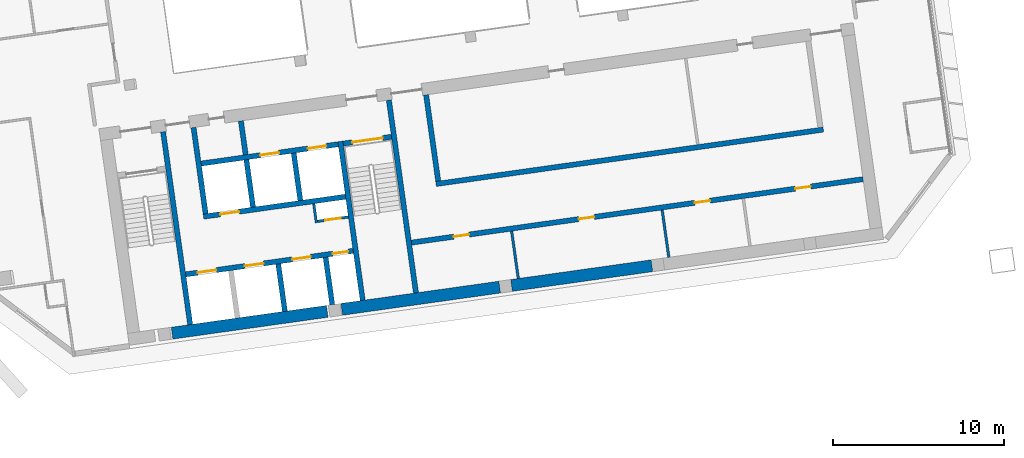
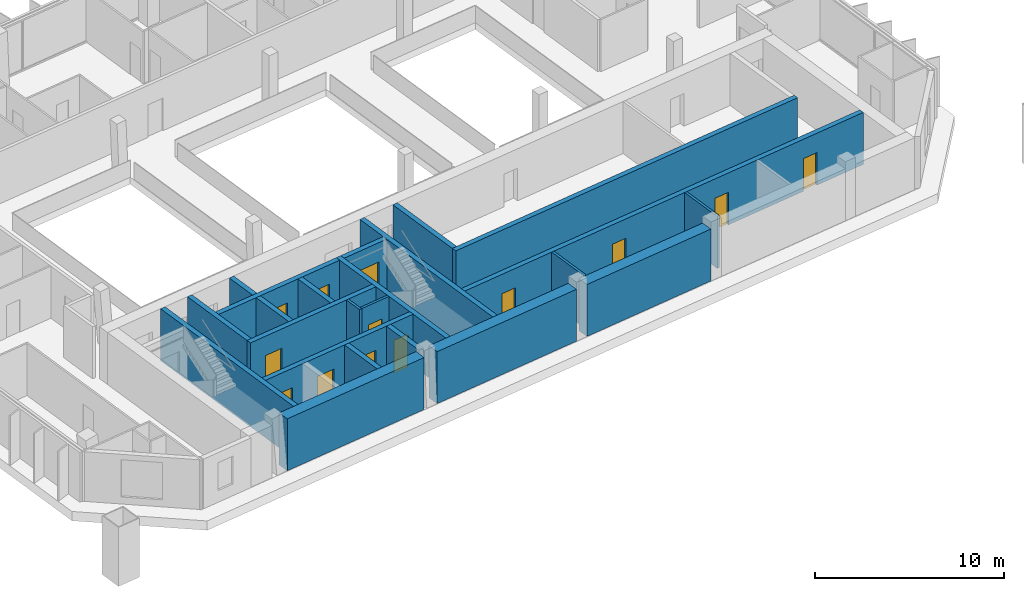
# One storey, part 21 of 26: 23 walls, 13 doors, 13 openings.
"""IFC4 building model written with IfcOpenShell, lengths in metres."""

from ifc_helpers import new_model, si_unit, direction, frame, frame_2d, origin, place, context, subcontext, project, spatial, rectangle, extrude, material, layer, layer_set, type_object, element, fill, save


model = new_model("IFC4")

# Units and contexts
model_context = context("Model", 3, precision=1e-05, world=origin(), true_north=direction((0.0, 1.0)))
body_context = subcontext(model_context, "Body", "Model", "MODEL_VIEW")
ifc_project = project(units=[si_unit("LENGTHUNIT", "METRE"), si_unit("AREAUNIT", "SQUARE_METRE"), si_unit("VOLUMEUNIT", "CUBIC_METRE"), si_unit("PLANEANGLEUNIT", "RADIAN"), si_unit("MASSUNIT", "GRAM", prefix="KILO")], contexts=[model_context])

# Site, building, storey
site_placement = place(None, origin())
site = spatial("IfcSite", under=ifc_project, at=site_placement, CompositionType="ELEMENT")
building_placement = place(site_placement, origin())
building = spatial("IfcBuilding", under=site, at=building_placement, Name="Mirante Cascada Hotel Towers", CompositionType="ELEMENT")
storey_placement = place(building_placement, frame((0.0, 0.0, 203.0)))
storey = spatial("IfcBuildingStorey", under=building, at=storey_placement, Name="L48", CompositionType="ELEMENT", Elevation=203.0)

# Wall
ifc_material_1 = material(Name="Masonry block", Category="masonry")
ifc_layer_1 = layer(ifc_material_1, 0.15)
ifc_layer_set_1 = layer_set([ifc_layer_1], Name="Core room partition 150 block EI 30")
wall_type_1 = type_object("IfcWallType", Name="Core room partition 150 block EI 30", PredefinedType="PARTITIONING", material=ifc_layer_set_1)
wall_1_placement = place(storey_placement, frame((48.2295, -12.793, 0.0), z_axis=(0.0, 0.0, 1.0), x_axis=(-0.1391935, 0.9902652, 0.0)))
element("IfcWall", 1, at=wall_1_placement, inside=storey, type_object=wall_type_1, Name="Core wall partition T2 L48 2", PredefinedType="PARTITIONING", context=body_context, shape_type="SweptSolid", body=[
    extrude(rectangle(XDim=1.1251, YDim=0.15, at=frame_2d((0.5626, 0.0))), origin(), (0.0, 0.0, 1.0), 3.35),
])

# Wall, opening, door
wall_2_placement = place(storey_placement, frame((48.2933, -12.7083, 0.0), z_axis=(0.0, 0.0, 1.0), x_axis=(0.990268, 0.1391734, 0.0)))
wall_2 = element("IfcWall", 2, at=wall_2_placement, inside=storey, type_object=wall_type_1, Name="Core wall partition T2 L48 3", PredefinedType="PARTITIONING", context=body_context, shape_type="SweptSolid", body=[
    extrude(rectangle(XDim=1.8251, YDim=0.15, at=frame_2d((0.9126, 0.0))), origin(), (0.0, 0.0, 1.0), 3.35),
])
opening_1_placement = place(wall_2_placement, frame((0.4625, 0.0, 0.0)))
opening_1 = element("IfcOpeningElement", 3, at=opening_1_placement, cuts=wall_2, Name="Opening D2-48-C15", PredefinedType="OPENING", context=body_context, shape_type="SweptSolid", body=[
    extrude(rectangle(XDim=0.9, YDim=2.1, at=frame_2d((0.45, 1.05))), frame((0.0, 0.075, 0.0), z_axis=(0.0, -1.0, 0.0), x_axis=(1.0, 0.0, 0.0)), (0.0, 0.0, 1.0), 0.15),
])
ifc_material_2 = material(Name="Hollow metal fire door leaf")
door_type_1 = type_object("IfcDoorType", Name="Fire door 900x2100 FD60", OperationType="NOTDEFINED", PredefinedType="DOOR", material=ifc_material_2)
door_1_placement = place(opening_1_placement, frame((0.9, 0.0, 0.0), z_axis=(0.0, 0.0, 1.0), x_axis=(-1.0, 0.0, 0.0)))
door_1 = element("IfcDoor", 4, at=door_1_placement, inside=storey, type_object=door_type_1, Name="Riser door T2 L48 15", OperationType="SINGLE_SWING_RIGHT", OverallHeight=2.1, OverallWidth=0.9, PredefinedType="DOOR", context=body_context, shape_type="SweptSolid", body=[
    extrude(rectangle(XDim=0.9, YDim=2.1, at=frame_2d((0.45, 1.05))), frame((0.0, 0.025, 0.0), z_axis=(0.0, -1.0, 0.0), x_axis=(1.0, 0.0, 0.0)), (0.0, 0.0, 1.0), 0.05),
])
fill(opening_1, door_1)

# Walls
wall_3_placement = place(storey_placement, frame((60.0485, -16.0548, 0.0), z_axis=(0.0, 0.0, 1.0), x_axis=(-0.139181, 0.990267, 0.0)))
element("IfcWall", 5, at=wall_3_placement, inside=storey, type_object=wall_type_1, Name="Core wall partition T2 L48 5", PredefinedType="PARTITIONING", context=body_context, shape_type="SweptSolid", body=[
    extrude(rectangle(XDim=2.8, YDim=0.15, at=frame_2d((1.4, 0.0))), origin(), (0.0, 0.0, 1.0), 3.35),
])
wall_4_placement = place(storey_placement, frame((68.8619, -14.8162, 0.0), z_axis=(0.0, 0.0, 1.0), x_axis=(-0.139176, 0.9902677, 0.0)))
element("IfcWall", 6, at=wall_4_placement, inside=storey, type_object=wall_type_1, Name="Core wall partition T2 L48 6", PredefinedType="PARTITIONING", context=body_context, shape_type="SweptSolid", body=[
    extrude(rectangle(XDim=2.8001, YDim=0.15, at=frame_2d((1.4, 0.0))), origin(), (0.0, 0.0, 1.0), 3.35),
])
ifc_material_3 = material(Name="Masonry block", Category="masonry")
ifc_layer_2 = layer(ifc_material_3, 0.3)
ifc_layer_set_2 = layer_set([ifc_layer_2], Name="Core wall 300 block EI 120")
wall_type_2 = type_object("IfcWallType", Name="Core wall 300 block EI 120", PredefinedType="PARTITIONING", material=ifc_layer_set_2)
wall_5_placement = place(storey_placement, frame((44.0843, -8.8061, 0.0), z_axis=(0.0, 0.0, 1.0), x_axis=(-0.1391951, 0.990265, 0.0)))
element("IfcWall", 7, at=wall_5_placement, inside=storey, type_object=wall_type_2, Name="Core wall partition T2 L48 1", PredefinedType="PARTITIONING", context=body_context, shape_type="SweptSolid", body=[
    extrude(rectangle(XDim=2.0001, YDim=0.3, at=frame_2d((1.0001, 0.0))), origin(), (0.0, 0.0, 1.0), 3.35),
])

# Wall, openings, doors
wall_6_placement = place(storey_placement, frame((53.7953, -13.9547, 0.0), z_axis=(0.0, 0.0, 1.0), x_axis=(0.9902677, 0.1391758, 0.0)))
wall_6 = element("IfcWall", 8, at=wall_6_placement, inside=storey, type_object=wall_type_2, Name="Core wall partition T2 L48 4", PredefinedType="PARTITIONING", context=body_context, shape_type="SweptSolid", body=[
    extrude(rectangle(XDim=26.7001, YDim=0.3, at=frame_2d((13.35, 0.0))), origin(), (0.0, 0.0, 1.0), 3.35),
])
opening_2_placement = place(wall_6_placement, frame((2.5, 0.0, 0.0)))
opening_2 = element("IfcOpeningElement", 9, at=opening_2_placement, cuts=wall_6, Name="Opening D2-48-C17", PredefinedType="OPENING", context=body_context, shape_type="SweptSolid", body=[
    extrude(rectangle(XDim=0.9, YDim=2.1, at=frame_2d((0.45, 1.05))), frame((0.0, 0.15, 0.0), z_axis=(0.0, -1.0, 0.0), x_axis=(1.0, 0.0, 0.0)), (0.0, 0.0, 1.0), 0.3),
])
opening_3_placement = place(wall_6_placement, frame((9.9, 0.0, 0.0)))
opening_3 = element("IfcOpeningElement", 10, at=opening_3_placement, cuts=wall_6, Name="Opening D2-48-C18", PredefinedType="OPENING", context=body_context, shape_type="SweptSolid", body=[
    extrude(rectangle(XDim=0.9, YDim=2.1, at=frame_2d((0.45, 1.05))), frame((0.0, 0.15, 0.0), z_axis=(0.0, -1.0, 0.0), x_axis=(1.0, 0.0, 0.0)), (0.0, 0.0, 1.0), 0.3),
])
opening_4_placement = place(wall_6_placement, frame((16.75, 0.0, 0.0)))
opening_4 = element("IfcOpeningElement", 11, at=opening_4_placement, cuts=wall_6, Name="Opening D2-48-C19", PredefinedType="OPENING", context=body_context, shape_type="SweptSolid", body=[
    extrude(rectangle(XDim=0.9, YDim=2.1, at=frame_2d((0.45, 1.05))), frame((0.0, 0.15, 0.0), z_axis=(0.0, -1.0, 0.0), x_axis=(1.0, 0.0, 0.0)), (0.0, 0.0, 1.0), 0.3),
])
opening_5_placement = place(wall_6_placement, frame((22.7, 0.0, 0.0)))
opening_5 = element("IfcOpeningElement", 12, at=opening_5_placement, cuts=wall_6, Name="Opening D2-48-C20", PredefinedType="OPENING", context=body_context, shape_type="SweptSolid", body=[
    extrude(rectangle(XDim=0.9, YDim=2.1, at=frame_2d((0.45, 1.05))), frame((0.0, 0.15, 0.0), z_axis=(0.0, -1.0, 0.0), x_axis=(1.0, 0.0, 0.0)), (0.0, 0.0, 1.0), 0.3),
])
door_2_placement = place(opening_2_placement, frame((0.9, 0.0, 0.0), z_axis=(0.0, 0.0, 1.0), x_axis=(-1.0, 0.0, 0.0)))
door_2 = element("IfcDoor", 13, at=door_2_placement, inside=storey, type_object=door_type_1, Name="Room door T2 L48 17", OperationType="SINGLE_SWING_LEFT", OverallHeight=2.1, OverallWidth=0.9, PredefinedType="DOOR", context=body_context, shape_type="SweptSolid", body=[
    extrude(rectangle(XDim=0.9, YDim=2.1, at=frame_2d((0.45, 1.05))), frame((0.0, 0.025, 0.0), z_axis=(0.0, -1.0, 0.0), x_axis=(1.0, 0.0, 0.0)), (0.0, 0.0, 1.0), 0.05),
])
fill(opening_2, door_2)
door_3_placement = place(opening_3_placement, frame((0.9, 0.0, 0.0), z_axis=(0.0, 0.0, 1.0), x_axis=(-1.0, 0.0, 0.0)))
door_3 = element("IfcDoor", 14, at=door_3_placement, inside=storey, type_object=door_type_1, Name="Room door T2 L48 18", OperationType="SINGLE_SWING_LEFT", OverallHeight=2.1, OverallWidth=0.9, PredefinedType="DOOR", context=body_context, shape_type="SweptSolid", body=[
    extrude(rectangle(XDim=0.9, YDim=2.1, at=frame_2d((0.45, 1.05))), frame((0.0, 0.025, 0.0), z_axis=(0.0, -1.0, 0.0), x_axis=(1.0, 0.0, 0.0)), (0.0, 0.0, 1.0), 0.05),
])
fill(opening_3, door_3)
door_4_placement = place(opening_4_placement, frame((0.9, 0.0, 0.0), z_axis=(0.0, 0.0, 1.0), x_axis=(-1.0, 0.0, 0.0)))
door_4 = element("IfcDoor", 15, at=door_4_placement, inside=storey, type_object=door_type_1, Name="Room door T2 L48 19", OperationType="SINGLE_SWING_RIGHT", OverallHeight=2.1, OverallWidth=0.9, PredefinedType="DOOR", context=body_context, shape_type="SweptSolid", body=[
    extrude(rectangle(XDim=0.9, YDim=2.1, at=frame_2d((0.45, 1.05))), frame((0.0, 0.025, 0.0), z_axis=(0.0, -1.0, 0.0), x_axis=(1.0, 0.0, 0.0)), (0.0, 0.0, 1.0), 0.05),
])
fill(opening_4, door_4)
door_5_placement = place(opening_5_placement, frame((0.9, 0.0, 0.0), z_axis=(0.0, 0.0, 1.0), x_axis=(-1.0, 0.0, 0.0)))
door_5 = element("IfcDoor", 16, at=door_5_placement, inside=storey, type_object=door_type_1, Name="Room door T2 L48 20", OperationType="SINGLE_SWING_RIGHT", OverallHeight=2.1, OverallWidth=0.9, PredefinedType="DOOR", context=body_context, shape_type="SweptSolid", body=[
    extrude(rectangle(XDim=0.9, YDim=2.1, at=frame_2d((0.45, 1.05))), frame((0.0, 0.025, 0.0), z_axis=(0.0, -1.0, 0.0), x_axis=(1.0, 0.0, 0.0)), (0.0, 0.0, 1.0), 0.05),
])
fill(opening_5, door_5)

# Walls
ifc_material_4 = material(Name="Concrete C50/60", Category="concrete")
ifc_layer_3 = layer(ifc_material_4, 0.3)
ifc_layer_set_3 = layer_set([ifc_layer_3], Name="RC core wall 300 C50/60")
wall_type_3 = type_object("IfcWallType", Name="RC core wall 300 C50/60", PredefinedType="SHEAR", material=ifc_layer_set_3)
wall_7_placement = place(storey_placement, frame((40.8373, -18.7548, 0.0), z_axis=(0.0, 0.0, 1.0), x_axis=(-0.1391749, 0.9902678, 0.0)))
element("IfcWall", 17, at=wall_7_placement, inside=storey, type_object=wall_type_3, Name="Core wall T2:L48:5", PredefinedType="SHEAR", context=body_context, shape_type="SweptSolid", body=[
    extrude(rectangle(XDim=11.4, YDim=0.3, at=frame_2d((5.7, 0.0))), origin(), (0.0, 0.0, 1.0), 3.35),
])
wall_8_placement = place(storey_placement, frame((50.938, -17.3352, 0.0), z_axis=(0.0, 0.0, 1.0), x_axis=(-0.1391706, 0.9902684, 0.0)))
element("IfcWall", 18, at=wall_8_placement, inside=storey, type_object=wall_type_3, Name="Core wall T2:L48:6", PredefinedType="SHEAR", context=body_context, shape_type="SweptSolid", body=[
    extrude(rectangle(XDim=9.4, YDim=0.3, at=frame_2d((4.7, 0.0))), origin(), (0.0, 0.0, 1.0), 3.35),
])
wall_9_placement = place(storey_placement, frame((54.0574, -16.8968, 0.0), z_axis=(0.0, 0.0, 1.0), x_axis=(-0.1391761, 0.9902677, 0.0)))
element("IfcWall", 19, at=wall_9_placement, inside=storey, type_object=wall_type_3, Name="Core wall T2:L48:7", PredefinedType="SHEAR", context=body_context, shape_type="SweptSolid", body=[
    extrude(rectangle(XDim=11.3999, YDim=0.3, at=frame_2d((5.7, 0.0))), origin(), (0.0, 0.0, 1.0), 3.35),
])

# Wall, opening, door
wall_10_placement = place(storey_placement, frame((49.7992, -8.1544, 0.0), z_axis=(0.0, 0.0, 1.0), x_axis=(0.9902656, 0.1391909, 0.0)))
wall_10 = element("IfcWall", 20, at=wall_10_placement, inside=storey, type_object=wall_type_3, Name="Core wall T2:L48:9", PredefinedType="SHEAR", context=body_context, shape_type="SweptSolid", body=[
    extrude(rectangle(XDim=2.85, YDim=0.3, at=frame_2d((1.425, 0.0))), origin(), (0.0, 0.0, 1.0), 3.35),
])
opening_6_placement = place(wall_10_placement, frame((0.525, 0.0, 0.0)))
opening_6 = element("IfcOpeningElement", 21, at=opening_6_placement, cuts=wall_10, Name="Opening D2-48-C09", PredefinedType="OPENING", context=body_context, shape_type="SweptSolid", body=[
    extrude(rectangle(XDim=1.8, YDim=2.1, at=frame_2d((0.9, 1.05))), frame((0.0, 0.15, 0.0), z_axis=(0.0, -1.0, 0.0), x_axis=(1.0, 0.0, 0.0)), (0.0, 0.0, 1.0), 0.3),
])
ifc_material_5 = material(Name="Hollow metal fire door leaf")
door_type_2 = type_object("IfcDoorType", Name="Double fire door 1800x2100 FD60", OperationType="DOUBLE_DOOR_SINGLE_SWING", PredefinedType="DOOR", material=ifc_material_5)
door_6_placement = place(opening_6_placement, frame((1.8, 0.0, 0.0), z_axis=(0.0, 0.0, 1.0), x_axis=(-1.0, 0.0, 0.0)))
door_6 = element("IfcDoor", 22, at=door_6_placement, inside=storey, type_object=door_type_2, Name="Stair door T2 L48 9", OperationType="DOUBLE_DOOR_SINGLE_SWING", OverallHeight=2.1, OverallWidth=1.8, PredefinedType="DOOR", context=body_context, shape_type="SweptSolid", body=[
    extrude(rectangle(XDim=0.895, YDim=2.1, at=frame_2d((0.4475, 1.05))), frame((0.0, 0.025, 0.0), z_axis=(0.0, -1.0, 0.0), x_axis=(1.0, 0.0, 0.0)), (0.0, 0.0, 1.0), 0.05),
    extrude(rectangle(XDim=0.895, YDim=2.1, at=frame_2d((1.3525, 1.05))), frame((0.0, 0.025, 0.0), z_axis=(0.0, -1.0, 0.0), x_axis=(1.0, 0.0, 0.0)), (0.0, 0.0, 1.0), 0.05),
])
fill(opening_6, door_6)

# Wall, openings, doors
wall_11_placement = place(storey_placement, frame((40.5753, -15.8126, 0.0), z_axis=(0.0, 0.0, 1.0), x_axis=(0.9902682, 0.1391725, 0.0)))
wall_11 = element("IfcWall", 23, at=wall_11_placement, inside=storey, type_object=wall_type_3, Name="Core wall T2:L48:10", PredefinedType="SHEAR", context=body_context, shape_type="SweptSolid", body=[
    extrude(rectangle(XDim=9.8999, YDim=0.3, at=frame_2d((4.95, 0.0))), origin(), (0.0, 0.0, 1.0), 3.35),
])
opening_7_placement = place(wall_11_placement, frame((0.7, 0.0, 0.0)))
opening_7 = element("IfcOpeningElement", 24, at=opening_7_placement, cuts=wall_11, Name="Opening LD", PredefinedType="OPENING", context=body_context, shape_type="SweptSolid", body=[
    extrude(rectangle(XDim=1.1, YDim=2.1, at=frame_2d((0.55, 1.05))), frame((0.0, 0.15, 0.0), z_axis=(0.0, -1.0, 0.0), x_axis=(1.0, 0.0, 0.0)), (0.0, 0.0, 1.0), 0.3),
])
opening_8_placement = place(wall_11_placement, frame((3.5, 0.0, 0.0)))
opening_8 = element("IfcOpeningElement", 25, at=opening_8_placement, cuts=wall_11, Name="Opening LD", PredefinedType="OPENING", context=body_context, shape_type="SweptSolid", body=[
    extrude(rectangle(XDim=1.1, YDim=2.1, at=frame_2d((0.55, 1.05))), frame((0.0, 0.15, 0.0), z_axis=(0.0, -1.0, 0.0), x_axis=(1.0, 0.0, 0.0)), (0.0, 0.0, 1.0), 0.3),
])
opening_9_placement = place(wall_11_placement, frame((6.3, 0.0, 0.0)))
opening_9 = element("IfcOpeningElement", 26, at=opening_9_placement, cuts=wall_11, Name="Opening LD", PredefinedType="OPENING", context=body_context, shape_type="SweptSolid", body=[
    extrude(rectangle(XDim=1.1, YDim=2.1, at=frame_2d((0.55, 1.05))), frame((0.0, 0.15, 0.0), z_axis=(0.0, -1.0, 0.0), x_axis=(1.0, 0.0, 0.0)), (0.0, 0.0, 1.0), 0.3),
])
opening_10_placement = place(wall_11_placement, frame((8.7, 0.0, 0.0)))
opening_10 = element("IfcOpeningElement", 27, at=opening_10_placement, cuts=wall_11, Name="Opening D2-48-C14", PredefinedType="OPENING", context=body_context, shape_type="SweptSolid", body=[
    extrude(rectangle(XDim=0.9, YDim=2.1, at=frame_2d((0.45, 1.05))), frame((0.0, 0.15, 0.0), z_axis=(0.0, -1.0, 0.0), x_axis=(1.0, 0.0, 0.0)), (0.0, 0.0, 1.0), 0.3),
])
door_7_placement = place(opening_10_placement, frame((0.9, 0.0, 0.0), z_axis=(0.0, 0.0, 1.0), x_axis=(-1.0, 0.0, 0.0)))
door_7 = element("IfcDoor", 28, at=door_7_placement, inside=storey, type_object=door_type_1, Name="Riser door T2 L48 14", OperationType="SINGLE_SWING_RIGHT", OverallHeight=2.1, OverallWidth=0.9, PredefinedType="DOOR", context=body_context, shape_type="SweptSolid", body=[
    extrude(rectangle(XDim=0.9, YDim=2.1, at=frame_2d((0.45, 1.05))), frame((0.0, 0.025, 0.0), z_axis=(0.0, -1.0, 0.0), x_axis=(1.0, 0.0, 0.0)), (0.0, 0.0, 1.0), 0.05),
])
fill(opening_10, door_7)
ifc_material_6 = material(Name="Stainless steel", Category="steel")
door_type_3 = type_object("IfcDoorType", Name="Lift landing door 1100x2100 EI 120", OperationType="DOUBLE_DOOR_SLIDING", PredefinedType="DOOR", material=ifc_material_6)
door_8_placement = place(opening_7_placement, origin())
door_8 = element("IfcDoor", 29, at=door_8_placement, inside=storey, type_object=door_type_3, Name="Lift landing door HR2-1 L48", OperationType="DOUBLE_DOOR_SLIDING", OverallHeight=2.1, OverallWidth=1.1, PredefinedType="DOOR", context=body_context, shape_type="SweptSolid", body=[
    extrude(rectangle(XDim=0.545, YDim=2.1, at=frame_2d((0.2725, 1.05))), frame((0.0, 0.025, 0.0), z_axis=(0.0, -1.0, 0.0), x_axis=(1.0, 0.0, 0.0)), (0.0, 0.0, 1.0), 0.05),
    extrude(rectangle(XDim=0.545, YDim=2.1, at=frame_2d((0.8275, 1.05))), frame((0.0, 0.025, 0.0), z_axis=(0.0, -1.0, 0.0), x_axis=(1.0, 0.0, 0.0)), (0.0, 0.0, 1.0), 0.05),
])
fill(opening_7, door_8)
door_9_placement = place(opening_8_placement, origin())
door_9 = element("IfcDoor", 30, at=door_9_placement, inside=storey, type_object=door_type_3, Name="Lift landing door HR2-2 L48", OperationType="DOUBLE_DOOR_SLIDING", OverallHeight=2.1, OverallWidth=1.1, PredefinedType="DOOR", context=body_context, shape_type="SweptSolid", body=[
    extrude(rectangle(XDim=0.545, YDim=2.1, at=frame_2d((0.2725, 1.05))), frame((0.0, 0.025, 0.0), z_axis=(0.0, -1.0, 0.0), x_axis=(1.0, 0.0, 0.0)), (0.0, 0.0, 1.0), 0.05),
    extrude(rectangle(XDim=0.545, YDim=2.1, at=frame_2d((0.8275, 1.05))), frame((0.0, 0.025, 0.0), z_axis=(0.0, -1.0, 0.0), x_axis=(1.0, 0.0, 0.0)), (0.0, 0.0, 1.0), 0.05),
])
fill(opening_8, door_9)
door_10_placement = place(opening_9_placement, origin())
door_10 = element("IfcDoor", 31, at=door_10_placement, inside=storey, type_object=door_type_3, Name="Lift landing door HR2-3 L48", OperationType="DOUBLE_DOOR_SLIDING", OverallHeight=2.1, OverallWidth=1.1, PredefinedType="DOOR", context=body_context, shape_type="SweptSolid", body=[
    extrude(rectangle(XDim=0.545, YDim=2.1, at=frame_2d((0.2725, 1.05))), frame((0.0, 0.025, 0.0), z_axis=(0.0, -1.0, 0.0), x_axis=(1.0, 0.0, 0.0)), (0.0, 0.0, 1.0), 0.05),
    extrude(rectangle(XDim=0.545, YDim=2.1, at=frame_2d((0.8275, 1.05))), frame((0.0, 0.025, 0.0), z_axis=(0.0, -1.0, 0.0), x_axis=(1.0, 0.0, 0.0)), (0.0, 0.0, 1.0), 0.05),
])
fill(opening_9, door_10)

# Wall, opening, door
wall_12_placement = place(storey_placement, frame((41.6153, -12.435, 0.0), z_axis=(0.0, 0.0, 1.0), x_axis=(0.9902691, 0.139166, 0.0)))
wall_12 = element("IfcWall", 32, at=wall_12_placement, inside=storey, type_object=wall_type_3, Name="Core wall T2:L48:11", PredefinedType="SHEAR", context=body_context, shape_type="SweptSolid", body=[
    extrude(rectangle(XDim=8.4, YDim=0.3, at=frame_2d((4.2, 0.0))), origin(), (0.0, 0.0, 1.0), 3.35),
])
opening_11_placement = place(wall_12_placement, frame((1.0, 0.0, 0.0)))
opening_11 = element("IfcOpeningElement", 33, at=opening_11_placement, cuts=wall_12, Name="Opening LD", PredefinedType="OPENING", context=body_context, shape_type="SweptSolid", body=[
    extrude(rectangle(XDim=1.1, YDim=2.1, at=frame_2d((0.55, 1.05))), frame((0.0, 0.15, 0.0), z_axis=(0.0, -1.0, 0.0), x_axis=(1.0, 0.0, 0.0)), (0.0, 0.0, 1.0), 0.3),
])
door_11_placement = place(opening_11_placement, origin())
door_11 = element("IfcDoor", 34, at=door_11_placement, inside=storey, type_object=door_type_3, Name="Lift landing door HR2-4 L48", OperationType="DOUBLE_DOOR_SLIDING", OverallHeight=2.1, OverallWidth=1.1, PredefinedType="DOOR", context=body_context, shape_type="SweptSolid", body=[
    extrude(rectangle(XDim=0.545, YDim=2.1, at=frame_2d((0.2725, 1.05))), frame((0.0, 0.025, 0.0), z_axis=(0.0, -1.0, 0.0), x_axis=(1.0, 0.0, 0.0)), (0.0, 0.0, 1.0), 0.05),
    extrude(rectangle(XDim=0.545, YDim=2.1, at=frame_2d((0.8275, 1.05))), frame((0.0, 0.025, 0.0), z_axis=(0.0, -1.0, 0.0), x_axis=(1.0, 0.0, 0.0)), (0.0, 0.0, 1.0), 0.05),
])
fill(opening_11, door_11)

# Wall, openings, doors
wall_13_placement = place(storey_placement, frame((41.481, -9.3234, 0.0), z_axis=(0.0, 0.0, 1.0), x_axis=(0.9902679, 0.1391741, 0.0)))
wall_13 = element("IfcWall", 35, at=wall_13_placement, inside=storey, type_object=wall_type_3, Name="Core wall T2:L48:12", PredefinedType="SHEAR", context=body_context, shape_type="SweptSolid", body=[
    extrude(rectangle(XDim=8.0999, YDim=0.3, at=frame_2d((4.05, 0.0))), origin(), (0.0, 0.0, 1.0), 3.35),
])
opening_12_placement = place(wall_13_placement, frame((3.5, 0.0, 0.0)))
opening_12 = element("IfcOpeningElement", 36, at=opening_12_placement, cuts=wall_13, Name="Opening LD", PredefinedType="OPENING", context=body_context, shape_type="SweptSolid", body=[
    extrude(rectangle(XDim=1.1, YDim=2.1, at=frame_2d((0.55, 1.05))), frame((0.0, 0.15, 0.0), z_axis=(0.0, -1.0, 0.0), x_axis=(1.0, 0.0, 0.0)), (0.0, 0.0, 1.0), 0.3),
])
opening_13_placement = place(wall_13_placement, frame((6.3, 0.0, 0.0)))
opening_13 = element("IfcOpeningElement", 37, at=opening_13_placement, cuts=wall_13, Name="Opening LD", PredefinedType="OPENING", context=body_context, shape_type="SweptSolid", body=[
    extrude(rectangle(XDim=1.1, YDim=2.1, at=frame_2d((0.55, 1.05))), frame((0.0, 0.15, 0.0), z_axis=(0.0, -1.0, 0.0), x_axis=(1.0, 0.0, 0.0)), (0.0, 0.0, 1.0), 0.3),
])
door_12_placement = place(opening_12_placement, origin())
door_12 = element("IfcDoor", 38, at=door_12_placement, inside=storey, type_object=door_type_3, Name="Lift landing door FF3 L48", OperationType="DOUBLE_DOOR_SLIDING", OverallHeight=2.1, OverallWidth=1.1, PredefinedType="DOOR", context=body_context, shape_type="SweptSolid", body=[
    extrude(rectangle(XDim=0.545, YDim=2.1, at=frame_2d((0.2725, 1.05))), frame((0.0, 0.025, 0.0), z_axis=(0.0, -1.0, 0.0), x_axis=(1.0, 0.0, 0.0)), (0.0, 0.0, 1.0), 0.05),
    extrude(rectangle(XDim=0.545, YDim=2.1, at=frame_2d((0.8275, 1.05))), frame((0.0, 0.025, 0.0), z_axis=(0.0, -1.0, 0.0), x_axis=(1.0, 0.0, 0.0)), (0.0, 0.0, 1.0), 0.05),
])
fill(opening_12, door_12)
door_13_placement = place(opening_13_placement, origin())
door_13 = element("IfcDoor", 39, at=door_13_placement, inside=storey, type_object=door_type_3, Name="Lift landing door FF4 L48", OperationType="DOUBLE_DOOR_SLIDING", OverallHeight=2.1, OverallWidth=1.1, PredefinedType="DOOR", context=body_context, shape_type="SweptSolid", body=[
    extrude(rectangle(XDim=0.545, YDim=2.1, at=frame_2d((0.2725, 1.05))), frame((0.0, 0.025, 0.0), z_axis=(0.0, -1.0, 0.0), x_axis=(1.0, 0.0, 0.0)), (0.0, 0.0, 1.0), 0.05),
    extrude(rectangle(XDim=0.545, YDim=2.1, at=frame_2d((0.8275, 1.05))), frame((0.0, 0.025, 0.0), z_axis=(0.0, -1.0, 0.0), x_axis=(1.0, 0.0, 0.0)), (0.0, 0.0, 1.0), 0.05),
])
fill(opening_13, door_13)

# Walls
wall_14_placement = place(storey_placement, frame((46.3828, -17.9754, 0.0), z_axis=(0.0, 0.0, 1.0), x_axis=(-0.139181, 0.990267, 0.0)))
element("IfcWall", 40, at=wall_14_placement, inside=storey, type_object=wall_type_3, Name="Core wall T2:L48:14", PredefinedType="SHEAR", context=body_context, shape_type="SweptSolid", body=[
    extrude(rectangle(XDim=2.8, YDim=0.3, at=frame_2d((1.4, 0.0))), origin(), (0.0, 0.0, 1.0), 3.35),
])
wall_15_placement = place(storey_placement, frame((49.1555, -17.5857, 0.0), z_axis=(0.0, 0.0, 1.0), x_axis=(-0.1391459, 0.9902719, 0.0)))
element("IfcWall", 41, at=wall_15_placement, inside=storey, type_object=wall_type_3, Name="Core wall T2:L48:15", PredefinedType="SHEAR", context=body_context, shape_type="SweptSolid", body=[
    extrude(rectangle(XDim=2.7999, YDim=0.3, at=frame_2d((1.4, 0.0))), origin(), (0.0, 0.0, 1.0), 3.35),
])
for number, where, z_axis, x_axis, name in (
    (42, (44.5157, -11.8759, 0.0), (0.0, 0.0, 1.0), (-0.139181, 0.990267, 0.0), "Core wall T2:L48:16"),
    (43, (47.2885, -11.4862, 0.0), (0.0, 0.0, 1.0), (-0.139181, 0.990267, 0.0), "Core wall T2:L48:17"),
):
    element("IfcWall", number, at=place(storey_placement, frame(where, z_axis=z_axis, x_axis=x_axis)), inside=storey, type_object=wall_type_3, Name=name, PredefinedType="SHEAR", context=body_context, shape_type="SweptSolid", body=[
        extrude(rectangle(XDim=2.8, YDim=0.3, at=frame_2d((1.4, 0.0))), origin(), (0.0, 0.0, 1.0), 3.35),
    ])
wall_16_placement = place(storey_placement, frame((41.743, -12.2656, 0.0), z_axis=(0.0, 0.0, 1.0), x_axis=(-0.1391755, 0.9902677, 0.0)))
element("IfcWall", 44, at=wall_16_placement, inside=storey, type_object=wall_type_3, Name="Core wall T2:L48:18", PredefinedType="SHEAR", context=body_context, shape_type="SweptSolid", body=[
    extrude(rectangle(XDim=5.1, YDim=0.3, at=frame_2d((2.55, 0.0))), origin(), (0.0, 0.0, 1.0), 3.35),
])
wall_17_placement = place(storey_placement, frame((55.2315, -10.5214, 0.0), z_axis=(0.0, 0.0, 1.0), x_axis=(0.9902678, 0.1391749, 0.0)))
element("IfcWall", 45, at=wall_17_placement, inside=storey, type_object=wall_type_3, Name="Core wall T2:L48:26", PredefinedType="SHEAR", context=body_context, shape_type="SweptSolid", body=[
    extrude(rectangle(XDim=22.9, YDim=0.3, at=frame_2d((11.45, 0.0))), origin(), (0.0, 0.0, 1.0), 3.35),
])
wall_18_placement = place(storey_placement, frame((55.3592, -10.352, 0.0), z_axis=(0.0, 0.0, 1.0), x_axis=(-0.1391755, 0.9902677, 0.0)))
element("IfcWall", 46, at=wall_18_placement, inside=storey, type_object=wall_type_3, Name="Core wall T2:L48:27", PredefinedType="SHEAR", context=body_context, shape_type="SweptSolid", body=[
    extrude(rectangle(XDim=5.1, YDim=0.3, at=frame_2d((2.55, 0.0))), origin(), (0.0, 0.0, 1.0), 3.35),
])
ifc_material_7 = material(Name="Concrete C50/60", Category="concrete")
ifc_layer_4 = layer(ifc_material_7, 0.7)
ifc_layer_set_4 = layer_set([ifc_layer_4], Name="RC core wall 700 C50/60")
wall_type_4 = type_object("IfcWallType", Name="RC core wall 700 C50/60", PredefinedType="SHEAR", material=ifc_layer_set_4)
wall_19_placement = place(storey_placement, frame((39.7773, -19.2572, 0.0), z_axis=(0.0, 0.0, 1.0), x_axis=(0.9902678, 0.1391747, 0.0)))
element("IfcWall", 47, at=wall_19_placement, inside=storey, type_object=wall_type_4, Name="Core wall T2:L48:1.2", PredefinedType="SHEAR", context=body_context, shape_type="SweptSolid", body=[
    extrude(rectangle(XDim=9.1741, YDim=0.7, at=frame_2d((4.587, 0.0))), origin(), (0.0, 0.0, 1.0), 3.35),
])
wall_20_placement = place(storey_placement, frame((49.7145, -17.8606, 0.0), z_axis=(0.0, 0.0, 1.0), x_axis=(0.9902687, 0.1391683, 0.0)))
element("IfcWall", 48, at=wall_20_placement, inside=storey, type_object=wall_type_4, Name="Core wall T2:L48:1.3", PredefinedType="SHEAR", context=body_context, shape_type="SweptSolid", body=[
    extrude(rectangle(XDim=9.3347, YDim=0.7, at=frame_2d((4.6674, 0.0))), origin(), (0.0, 0.0, 1.0), 3.35),
])
wall_21_placement = place(storey_placement, frame((59.6516, -16.4641, 0.0), z_axis=(0.0, 0.0, 1.0), x_axis=(0.990267, 0.139181, 0.0)))
element("IfcWall", 49, at=wall_21_placement, inside=storey, type_object=wall_type_4, Name="Core wall T2:L48:1.4", PredefinedType="SHEAR", context=body_context, shape_type="SweptSolid", body=[
    extrude(rectangle(XDim=8.3, YDim=0.7, at=frame_2d((4.15, 0.0))), origin(), (0.0, 0.0, 1.0), 3.35),
])

save(model, "model.ifc")
